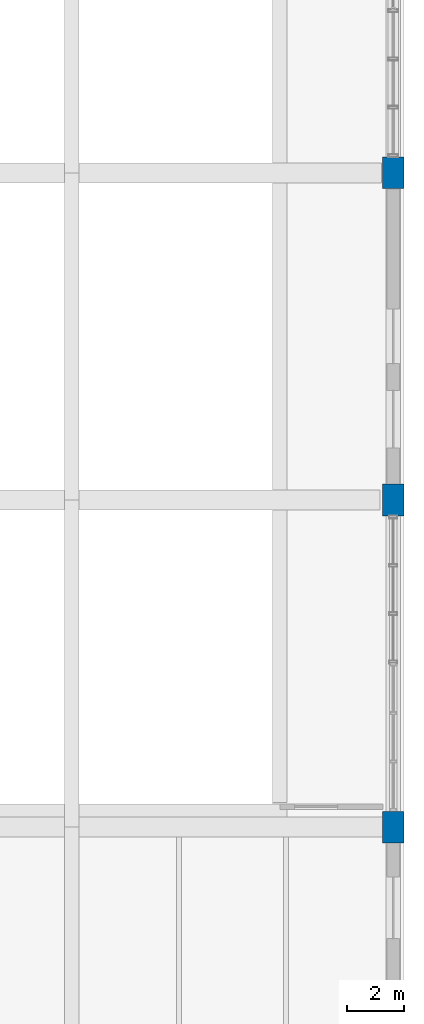
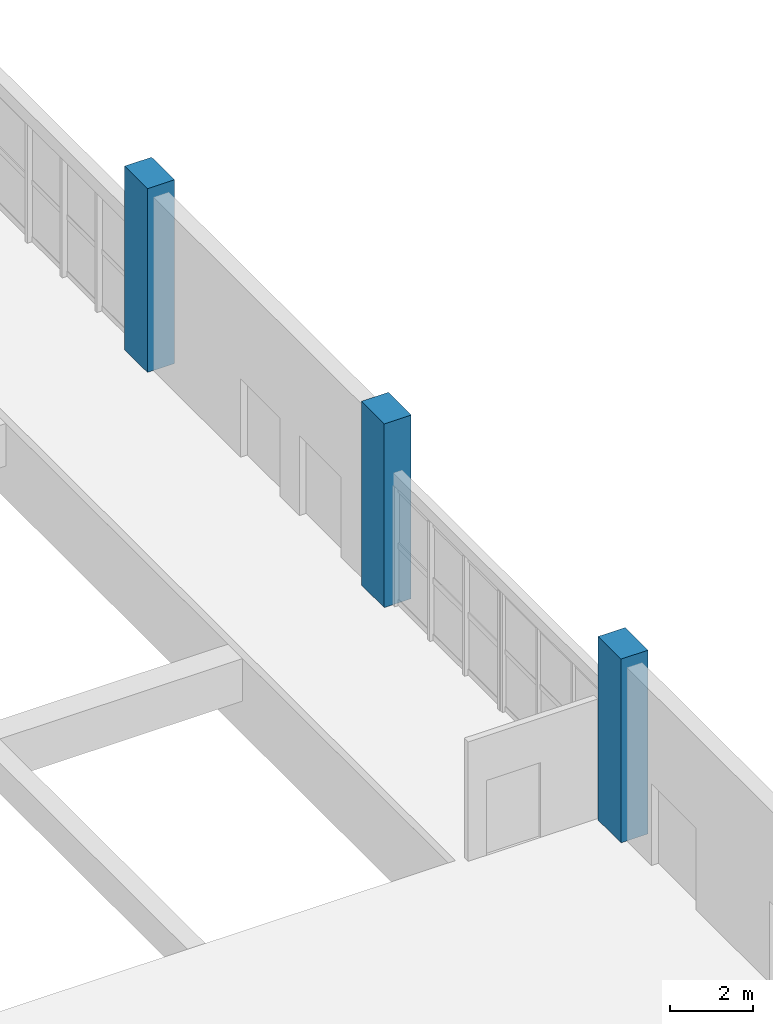
# One storey, part 20 of 113: 3 columns.
"""IFC4 building model written with IfcOpenShell, lengths in metres."""

from ifc_helpers import new_model, si_unit, direction, frame, origin, origin_2d, place, context, subcontext, project, spatial, rectangle, extrude, material, material_profile, profile_set, type_object, element, save


model = new_model("IFC4")

# Units and contexts
model_context = context("Model", 3, precision=1e-05, world=origin(), true_north=direction((0.0, 1.0)))
body_context = subcontext(model_context, "Body", "Model", "MODEL_VIEW")
ifc_project = project(units=[si_unit("LENGTHUNIT", "METRE"), si_unit("AREAUNIT", "SQUARE_METRE"), si_unit("VOLUMEUNIT", "CUBIC_METRE"), si_unit("PLANEANGLEUNIT", "RADIAN"), si_unit("MASSUNIT", "GRAM", prefix="KILO"), si_unit("POWERUNIT", "WATT"), si_unit("THERMODYNAMICTEMPERATUREUNIT", "KELVIN")], contexts=[model_context])

# Site, building, storey
site_placement = place(None, origin())
site = spatial("IfcSite", under=ifc_project, at=site_placement, CompositionType="ELEMENT")
building_placement = place(site_placement, origin())
building = spatial("IfcBuilding", under=site, at=building_placement, Name="Kelmbourne Parkland Aquatics Centre", CompositionType="ELEMENT")
storey_placement = place(building_placement, origin())
storey = spatial("IfcBuildingStorey", under=building, at=storey_placement, Name="L00", CompositionType="ELEMENT", Elevation=0.0)

# Columns
ifc_material = material(Name="Concrete C40/50", Category="concrete")
ifc_material_profile = material_profile(ifc_material, rectangle(XDim=0.75, YDim=1.10009765625, at=origin_2d()), Name="RC 750x1100")
ifc_profile_set = profile_set([ifc_material_profile], Name="Concrete C40/50")
column_type = type_object("IfcColumnType", Name="COL-C03", PredefinedType="COLUMN", material=ifc_profile_set)
for number, where, z_axis, x_axis, name in (
    (1, (175.199951171875, 35.0, 0.0), (0.0, 0.0, 1.0), (1.0, 0.0, 0.0), "Structural column T-05 (L00)"),
    (2, (175.199951171875, 46.39990234375, 0.0), (0.0, 0.0, 1.0), (1.0, 0.0, 0.0), "Structural column T-06 (L00)"),
    (3, (175.199951171875, 57.800048828125, 0.0), (0.0, 0.0, 1.0), (1.0, 0.0, 0.0), "Structural column T-08 (L00)"),
):
    element("IfcColumn", number, at=place(storey_placement, frame(where, z_axis=z_axis, x_axis=x_axis)), inside=storey, type_object=column_type, Name=name, PredefinedType="COLUMN", context=body_context, shape_type="SweptSolid", body=[
        extrude(rectangle(XDim=0.75, YDim=1.10009765625, at=origin_2d()), origin(), (0.0, 0.0, 1.0), 5.39990234375),
    ])

save(model, "model.ifc")
